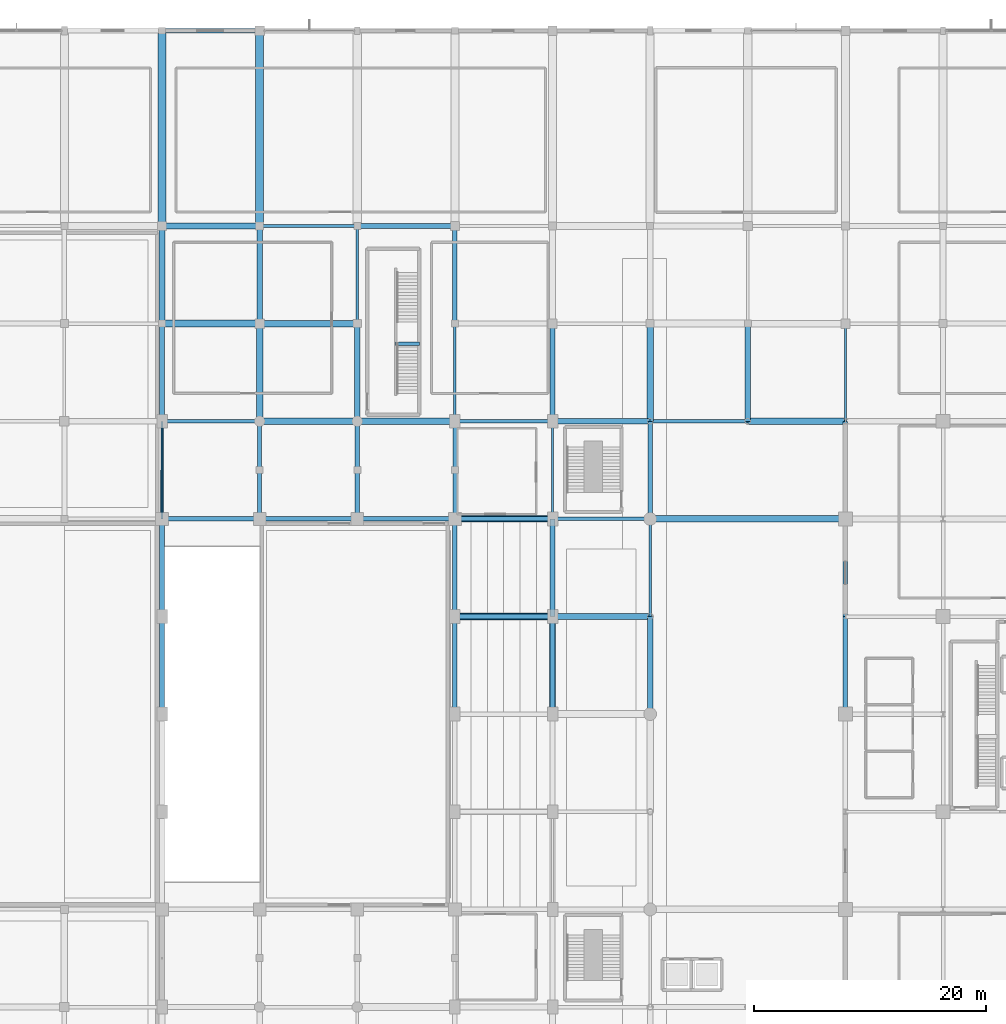
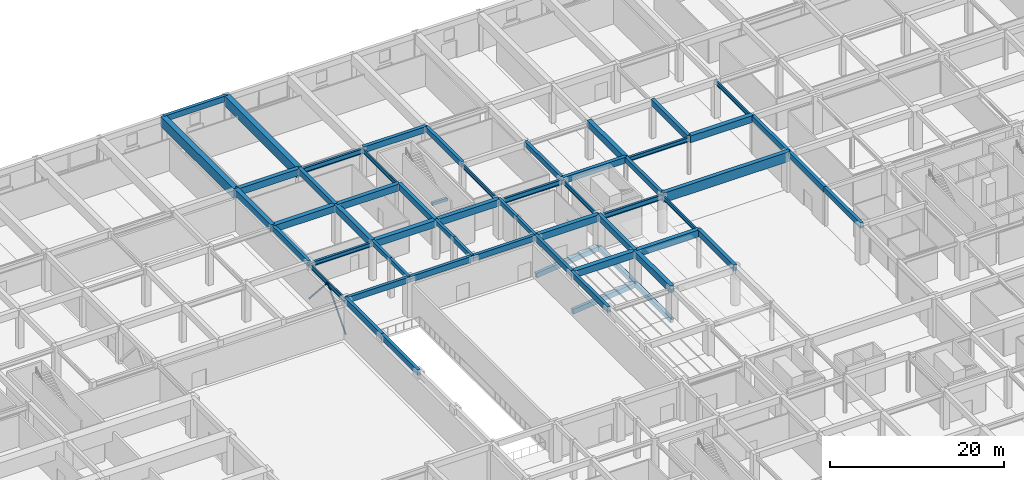
# One storey, part 22 of 62: 60 beams, 2 members.
"""IFC4 building model written with IfcOpenShell, lengths in metres."""

from ifc_helpers import new_model, si_unit, direction, frame, origin, origin_2d, place, context, subcontext, project, spatial, rectangle, hollow_circle, i_section, extrude, material, material_profile, profile_set, type_object, element, save


model = new_model("IFC4")

# Units and contexts
model_context = context("Model", 3, precision=1e-05, world=origin(), true_north=direction((0.0, 1.0)))
body_context = subcontext(model_context, "Body", "Model", "MODEL_VIEW")
ifc_project = project(units=[si_unit("LENGTHUNIT", "METRE"), si_unit("AREAUNIT", "SQUARE_METRE"), si_unit("VOLUMEUNIT", "CUBIC_METRE"), si_unit("PLANEANGLEUNIT", "RADIAN"), si_unit("MASSUNIT", "GRAM", prefix="KILO")], contexts=[model_context])

# Site, building, storey
site_placement = place(None, origin())
site = spatial("IfcSite", under=ifc_project, at=site_placement, CompositionType="ELEMENT")
building_placement = place(site_placement, origin())
building = spatial("IfcBuilding", under=site, at=building_placement, Name="Xuanlan Plaza Opera House", CompositionType="ELEMENT")
storey_placement = place(building_placement, origin())
storey = spatial("IfcBuildingStorey", under=building, at=storey_placement, Name="L00", CompositionType="ELEMENT", Elevation=0.0)

# Beams
ifc_material_1 = material(Name="Concrete C50", Category="concrete")
ifc_material_profile_1 = material_profile(ifc_material_1, rectangle(XDim=0.60009765625, YDim=0.949951171875, at=origin_2d()), Name="RC-BM 600x950")
ifc_profile_set_1 = profile_set([ifc_material_profile_1], Name="Concrete C50")
beam_type_1 = type_object("IfcBeamType", Name="STR-BM-B-01", PredefinedType="BEAM", material=ifc_profile_set_1)
beam_1_placement = place(storey_placement, frame((92.39990234375, 67.199951171875, 4.925048828125), z_axis=(1.0, 0.0, 0.0), x_axis=(0.0, 1.0, 0.0)))
element("IfcBeam", 1, at=beam_1_placement, inside=storey, type_object=beam_type_1, Name="Grid Beam X L00 12-13/I", PredefinedType="BEAM", context=body_context, shape_type="SweptSolid", body=[
    extrude(rectangle(XDim=0.60009765625, YDim=0.949951171875, at=origin_2d()), origin(), (0.0, 0.0, 1.0), 8.400146484375),
])
for number, where, z_axis, x_axis, name in (
    (2, (75.60009765625, 84.0, 4.925048828125), (1.0, 0.0, 0.0), (0.0, 1.0, 0.0), "Grid Beam X L00 10-11/K"),
    (3, (117.60009765625, 84.0, 4.925048828125), (1.0, 0.0, 0.0), (0.0, 1.0, 0.0), "Grid Beam X L00 15-16/K"),
):
    element("IfcBeam", number, at=place(storey_placement, frame(where, z_axis=z_axis, x_axis=x_axis)), inside=storey, type_object=beam_type_1, Name=name, PredefinedType="BEAM", context=body_context, shape_type="SweptSolid", body=[
        extrude(rectangle(XDim=0.60009765625, YDim=0.949951171875, at=origin_2d()), origin(), (0.0, 0.0, 1.0), 8.39990234375),
    ])
beam_2_placement = place(storey_placement, frame((67.199951171875, 92.39990234375, 4.925048828125), z_axis=(1.0, 0.0, 0.0), x_axis=(0.0, 1.0, 0.0)))
element("IfcBeam", 4, at=beam_2_placement, inside=storey, type_object=beam_type_1, Name="Grid Beam X L00 9-10/L", PredefinedType="BEAM", context=body_context, shape_type="SweptSolid", body=[
    extrude(rectangle(XDim=0.60009765625, YDim=0.949951171875, at=origin_2d()), origin(), (0.0, 0.0, 1.0), 8.400146484375),
])
ifc_material_profile_2 = material_profile(ifc_material_1, rectangle(XDim=0.550048828125, YDim=0.949951171875, at=origin_2d()), Name="RC-BM 550x950")
ifc_profile_set_2 = profile_set([ifc_material_profile_2], Name="Concrete C50")
beam_type_2 = type_object("IfcBeamType", Name="STR-BM-B-02", PredefinedType="BEAM", material=ifc_profile_set_2)
beam_3_placement = place(storey_placement, frame((100.800048828125, 67.199951171875, 4.925048828125), z_axis=(1.0, 0.0, 0.0), x_axis=(0.0, 1.0, 0.0)))
element("IfcBeam", 5, at=beam_3_placement, inside=storey, type_object=beam_type_2, Name="Grid Beam X L00 13-14/I", PredefinedType="BEAM", context=body_context, shape_type="SweptSolid", body=[
    extrude(rectangle(XDim=0.550048828125, YDim=0.949951171875, at=origin_2d()), origin(), (0.0, 0.0, 1.0), 8.39990234375),
])
beam_4_placement = place(storey_placement, frame((92.39990234375, 75.60009765625, 4.925048828125), z_axis=(1.0, 0.0, 0.0), x_axis=(0.0, 1.0, 0.0)))
element("IfcBeam", 6, at=beam_4_placement, inside=storey, type_object=beam_type_2, Name="Grid Beam X L00 12-13/J", PredefinedType="BEAM", context=body_context, shape_type="SweptSolid", body=[
    extrude(rectangle(XDim=0.550048828125, YDim=0.949951171875, at=origin_2d()), origin(), (0.0, 0.0, 1.0), 8.400146484375),
])
for number, where, z_axis, x_axis, name in (
    (7, (84.0, 84.0, 4.925048828125), (1.0, 0.0, 0.0), (0.0, 1.0, 0.0), "Grid Beam X L00 11-12/K"),
    (8, (75.60009765625, 92.39990234375, 4.925048828125), (1.0, 0.0, 0.0), (0.0, 1.0, 0.0), "Grid Beam X L00 10-11/L"),
):
    element("IfcBeam", number, at=place(storey_placement, frame(where, z_axis=z_axis, x_axis=x_axis)), inside=storey, type_object=beam_type_2, Name=name, PredefinedType="BEAM", context=body_context, shape_type="SweptSolid", body=[
        extrude(rectangle(XDim=0.550048828125, YDim=0.949951171875, at=origin_2d()), origin(), (0.0, 0.0, 1.0), 8.39990234375),
    ])
for number, where, z_axis, x_axis, name in (
    (9, (67.199951171875, 100.800048828125, 4.925048828125), (1.0, 0.0, 0.0), (0.0, 1.0, 0.0), "Grid Beam X L00 9-10/M"),
    (10, (67.199951171875, 92.39990234375, 4.925048828125), (0.0, 1.0, 0.0), (-1.0, 0.0, 0.0), "Grid Beam Y L00 9/L-M"),
):
    element("IfcBeam", number, at=place(storey_placement, frame(where, z_axis=z_axis, x_axis=x_axis)), inside=storey, type_object=beam_type_2, Name=name, PredefinedType="BEAM", context=body_context, shape_type="SweptSolid", body=[
        extrude(rectangle(XDim=0.550048828125, YDim=0.949951171875, at=origin_2d()), origin(), (0.0, 0.0, 1.0), 8.400146484375),
    ])
for number, where, z_axis, x_axis, name in (
    (11, (75.60009765625, 84.0, 4.925048828125), (0.0, 1.0, 0.0), (-1.0, 0.0, 0.0), "Grid Beam Y L00 10/K-L"),
    (12, (100.800048828125, 58.800048828125, 4.925048828125), (0.0, 1.0, 0.0), (-1.0, 0.0, 0.0), "Grid Beam Y L00 13/H-I"),
    (13, (109.199951171875, 84.0, 4.925048828125), (0.0, 1.0, 0.0), (-1.0, 0.0, 0.0), "Grid Beam Y L00 14/K-L"),
):
    element("IfcBeam", number, at=place(storey_placement, frame(where, z_axis=z_axis, x_axis=x_axis)), inside=storey, type_object=beam_type_2, Name=name, PredefinedType="BEAM", context=body_context, shape_type="SweptSolid", body=[
        extrude(rectangle(XDim=0.550048828125, YDim=0.949951171875, at=origin_2d()), origin(), (0.0, 0.0, 1.0), 8.39990234375),
    ])
ifc_material_2 = material(Name="Concrete C40", Category="concrete")
ifc_material_profile_3 = material_profile(ifc_material_2, rectangle(XDim=0.449951171875, YDim=0.85009765625, at=origin_2d()), Name="RC-BM 450x850")
ifc_profile_set_3 = profile_set([ifc_material_profile_3], Name="Concrete C40")
beam_type_3 = type_object("IfcBeamType", Name="STR-BM-B-04", PredefinedType="BEAM", material=ifc_profile_set_3)
for number, where, z_axis, x_axis, name in (
    (14, (100.800048828125, 84.0, 4.97509765625), (1.0, 0.0, 0.0), (0.0, 1.0, 0.0), "Grid Beam X L00 13-14/K"),
    (15, (84.0, 100.800048828125, 4.97509765625), (1.0, 0.0, 0.0), (0.0, 1.0, 0.0), "Grid Beam X L00 11-12/M"),
):
    element("IfcBeam", number, at=place(storey_placement, frame(where, z_axis=z_axis, x_axis=x_axis)), inside=storey, type_object=beam_type_3, Name=name, PredefinedType="BEAM", context=body_context, shape_type="SweptSolid", body=[
        extrude(rectangle(XDim=0.449951171875, YDim=0.85009765625, at=origin_2d()), origin(), (0.0, 0.0, 1.0), 8.39990234375),
    ])
beam_5_placement = place(storey_placement, frame((75.60009765625, 92.39990234375, 4.97509765625), z_axis=(0.0, 1.0, 0.0), x_axis=(-1.0, 0.0, 0.0)))
element("IfcBeam", 16, at=beam_5_placement, inside=storey, type_object=beam_type_3, Name="Grid Beam Y L00 10/L-M", PredefinedType="BEAM", context=body_context, shape_type="SweptSolid", body=[
    extrude(rectangle(XDim=0.449951171875, YDim=0.85009765625, at=origin_2d()), origin(), (0.0, 0.0, 1.0), 8.400146484375),
])
beam_6_placement = place(storey_placement, frame((84.0, 84.0, 4.97509765625), z_axis=(0.0, 1.0, 0.0), x_axis=(-1.0, 0.0, 0.0)))
element("IfcBeam", 17, at=beam_6_placement, inside=storey, type_object=beam_type_3, Name="Grid Beam Y L00 11/K-L", PredefinedType="BEAM", context=body_context, shape_type="SweptSolid", body=[
    extrude(rectangle(XDim=0.449951171875, YDim=0.85009765625, at=origin_2d()), origin(), (0.0, 0.0, 1.0), 8.39990234375),
])
beam_7_placement = place(storey_placement, frame((100.800048828125, 67.199951171875, 4.97509765625), z_axis=(0.0, 1.0, 0.0), x_axis=(-1.0, 0.0, 0.0)))
element("IfcBeam", 18, at=beam_7_placement, inside=storey, type_object=beam_type_3, Name="Grid Beam Y L00 13/I-J", PredefinedType="BEAM", context=body_context, shape_type="SweptSolid", body=[
    extrude(rectangle(XDim=0.449951171875, YDim=0.85009765625, at=origin_2d()), origin(), (0.0, 0.0, 1.0), 8.400146484375),
])
for number, where, z_axis, x_axis, name in (
    (19, (109.199951171875, 58.800048828125, 4.97509765625), (0.0, 1.0, 0.0), (-1.0, 0.0, 0.0), "Grid Beam Y L00 14/H-I"),
    (20, (117.60009765625, 84.0, 4.97509765625), (0.0, 1.0, 0.0), (-1.0, 0.0, 0.0), "Grid Beam Y L00 15/K-L"),
):
    element("IfcBeam", number, at=place(storey_placement, frame(where, z_axis=z_axis, x_axis=x_axis)), inside=storey, type_object=beam_type_3, Name=name, PredefinedType="BEAM", context=body_context, shape_type="SweptSolid", body=[
        extrude(rectangle(XDim=0.449951171875, YDim=0.85009765625, at=origin_2d()), origin(), (0.0, 0.0, 1.0), 8.39990234375),
    ])
ifc_material_profile_4 = material_profile(ifc_material_2, rectangle(XDim=0.39990234375, YDim=0.75, at=origin_2d()), Name="RC-BM 400x750")
ifc_profile_set_4 = profile_set([ifc_material_profile_4], Name="Concrete C40")
beam_type_4 = type_object("IfcBeamType", Name="STR-BM-B-06", PredefinedType="BEAM", material=ifc_profile_set_4)
beam_8_placement = place(storey_placement, frame((67.199951171875, 84.0, 5.02490234375), z_axis=(0.0, 1.0, 0.0), x_axis=(-1.0, 0.0, 0.0)))
element("IfcBeam", 21, at=beam_8_placement, inside=storey, type_object=beam_type_4, Name="Grid Beam Y L00 9/K-L", PredefinedType="BEAM", context=body_context, shape_type="SweptSolid", body=[
    extrude(rectangle(XDim=0.39990234375, YDim=0.75, at=origin_2d()), origin(), (0.0, 0.0, 1.0), 8.39990234375),
])
beam_9_placement = place(storey_placement, frame((92.39990234375, 92.39990234375, 5.02490234375), z_axis=(0.0, 1.0, 0.0), x_axis=(-1.0, 0.0, 0.0)))
element("IfcBeam", 22, at=beam_9_placement, inside=storey, type_object=beam_type_4, Name="Grid Beam Y L00 12/L-M", PredefinedType="BEAM", context=body_context, shape_type="SweptSolid", body=[
    extrude(rectangle(XDim=0.39990234375, YDim=0.75, at=origin_2d()), origin(), (0.0, 0.0, 1.0), 8.400146484375),
])
for number, where, z_axis, x_axis, name in (
    (23, (100.800048828125, 84.0, 5.02490234375), (0.0, 1.0, 0.0), (-1.0, 0.0, 0.0), "Grid Beam Y L00 13/K-L"),
    (24, (109.199951171875, 75.60009765625, 5.02490234375), (0.0, 1.0, 0.0), (-1.0, 0.0, 0.0), "Grid Beam Y L00 14/J-K"),
    (25, (126.0, 58.800048828125, 5.02490234375), (0.0, 1.0, 0.0), (-1.0, 0.0, 0.0), "Grid Beam Y L00 16/H-I"),
):
    element("IfcBeam", number, at=place(storey_placement, frame(where, z_axis=z_axis, x_axis=x_axis)), inside=storey, type_object=beam_type_4, Name=name, PredefinedType="BEAM", context=body_context, shape_type="SweptSolid", body=[
        extrude(rectangle(XDim=0.39990234375, YDim=0.75, at=origin_2d()), origin(), (0.0, 0.0, 1.0), 8.39990234375),
    ])
beam_10_placement = place(storey_placement, frame((126.0, 67.199951171875, 5.02490234375), z_axis=(0.0, 1.0, 0.0), x_axis=(-1.0, 0.0, 0.0)))
element("IfcBeam", 26, at=beam_10_placement, inside=storey, type_object=beam_type_4, Name="Grid Beam Y L00 16/I-J", PredefinedType="BEAM", context=body_context, shape_type="SweptSolid", body=[
    extrude(rectangle(XDim=0.39990234375, YDim=0.75, at=origin_2d()), origin(), (0.0, 0.0, 1.0), 8.400146484375),
])
beam_11_placement = place(storey_placement, frame((126.0, 75.60009765625, 5.02490234375), z_axis=(0.0, 1.0, 0.0), x_axis=(-1.0, 0.0, 0.0)))
element("IfcBeam", 27, at=beam_11_placement, inside=storey, type_object=beam_type_4, Name="Grid Beam Y L00 16/J-K", PredefinedType="BEAM", context=body_context, shape_type="SweptSolid", body=[
    extrude(rectangle(XDim=0.39990234375, YDim=0.75, at=origin_2d()), origin(), (0.0, 0.0, 1.0), 8.39990234375),
])
ifc_material_profile_5 = material_profile(ifc_material_2, rectangle(XDim=0.35009765625, YDim=0.60009765625, at=origin_2d()), Name="RC-BM 350x600")
ifc_profile_set_5 = profile_set([ifc_material_profile_5], Name="Concrete C40")
beam_type_5 = type_object("IfcBeamType", Name="STR-BM-B-10", PredefinedType="BEAM", material=ifc_profile_set_5)
for number, where, z_axis, x_axis, name in (
    (28, (75.60009765625, 75.60009765625, 5.10009765625), (0.0, 1.0, 0.0), (-1.0, 0.0, 0.0), "Sub-Bay Beam Y L00 10/JA"),
    (29, (75.60009765625, 79.800048828125, 5.10009765625), (0.0, 1.0, 0.0), (-1.0, 0.0, 0.0), "Sub-Bay Beam Y L00 10/JB"),
    (30, (84.0, 75.60009765625, 5.10009765625), (0.0, 1.0, 0.0), (-1.0, 0.0, 0.0), "Sub-Bay Beam Y L00 11/JA"),
    (31, (84.0, 79.800048828125, 5.10009765625), (0.0, 1.0, 0.0), (-1.0, 0.0, 0.0), "Sub-Bay Beam Y L00 11/JB"),
    (32, (92.39990234375, 75.60009765625, 5.10009765625), (0.0, 1.0, 0.0), (-1.0, 0.0, 0.0), "Sub-Bay Beam Y L00 12/JA"),
    (33, (92.39990234375, 79.800048828125, 5.10009765625), (0.0, 1.0, 0.0), (-1.0, 0.0, 0.0), "Sub-Bay Beam Y L00 12/JB"),
):
    element("IfcBeam", number, at=place(storey_placement, frame(where, z_axis=z_axis, x_axis=x_axis)), inside=storey, type_object=beam_type_5, Name=name, PredefinedType="BEAM", context=body_context, shape_type="SweptSolid", body=[
        extrude(rectangle(XDim=0.35009765625, YDim=0.60009765625, at=origin_2d()), origin(), (0.0, 0.0, 1.0), 4.199951171875),
    ])
ifc_material_profile_6 = material_profile(ifc_material_1, rectangle(XDim=0.699951171875, YDim=1.39990234375, at=origin_2d()), Name="RC-LG 700x1400")
ifc_profile_set_6 = profile_set([ifc_material_profile_6], Name="Concrete C50")
beam_type_6 = type_object("IfcBeamType", Name="STR-BM-LG-01", PredefinedType="BEAM", material=ifc_profile_set_6)
for number, where, z_axis, x_axis, name in (
    (34, (67.199951171875, 100.800048828125, 4.699951171875), (0.0, 1.0, 0.0), (-1.0, 0.0, 0.0), "Grid Beam Y L00 9/M-O"),
    (35, (75.60009765625, 100.800048828125, 4.699951171875), (0.0, 1.0, 0.0), (-1.0, 0.0, 0.0), "Grid Beam Y L00 10/M-O"),
):
    element("IfcBeam", number, at=place(storey_placement, frame(where, z_axis=z_axis, x_axis=x_axis)), inside=storey, type_object=beam_type_6, Name=name, PredefinedType="BEAM", context=body_context, shape_type="SweptSolid", body=[
        extrude(rectangle(XDim=0.699951171875, YDim=1.39990234375, at=origin_2d()), origin(), (0.0, 0.0, 1.0), 16.800048828125),
    ])
ifc_material_profile_7 = material_profile(ifc_material_1, rectangle(XDim=0.550048828125, YDim=1.35009765625, at=origin_2d()), Name="RC-SPD 550x1350")
ifc_profile_set_7 = profile_set([ifc_material_profile_7], Name="Concrete C50")
beam_type_7 = type_object("IfcBeamType", Name="STR-BM-LG-SP1", PredefinedType="SPANDREL", material=ifc_profile_set_7)
beam_12_placement = place(storey_placement, frame((109.199951171875, 75.60009765625, 4.72509765625), z_axis=(1.0, 0.0, 0.0), x_axis=(0.0, 1.0, 0.0)))
element("IfcBeam", 36, at=beam_12_placement, inside=storey, type_object=beam_type_7, Name="Grid Beam X L00 14-16/J", PredefinedType="SPANDREL", context=body_context, shape_type="SweptSolid", body=[
    extrude(rectangle(XDim=0.550048828125, YDim=1.35009765625, at=origin_2d()), origin(), (0.0, 0.0, 1.0), 16.800048828125),
])
ifc_material_profile_8 = material_profile(ifc_material_2, rectangle(XDim=0.320068359375, YDim=0.419921875, at=origin_2d()), Name="RC-LNT 320x420")
ifc_profile_set_8 = profile_set([ifc_material_profile_8], Name="Concrete C40")
beam_type_8 = type_object("IfcBeamType", Name="STR-BM-LN-04", PredefinedType="LINTEL", material=ifc_profile_set_8)
beam_13_placement = place(storey_placement, frame((87.300048828125, 90.675048828125, 2.2900390625), z_axis=(1.0, 0.0, 0.0), x_axis=(0.0, 1.0, 0.0)))
element("IfcBeam", 37, at=beam_13_placement, inside=storey, type_object=beam_type_8, Name="Stair Mid-Landing Trimmer Beam ST-P4 L00", PredefinedType="LINTEL", context=body_context, shape_type="SweptSolid", body=[
    extrude(rectangle(XDim=0.320068359375, YDim=0.419921875, at=origin_2d()), origin(), (0.0, 0.0, 1.0), 2.050048828125),
])
ifc_material_profile_9 = material_profile(ifc_material_2, rectangle(XDim=0.39990234375, YDim=0.679931640625, at=origin_2d()), Name="RC-RKR 400x680")
ifc_profile_set_9 = profile_set([ifc_material_profile_9], Name="Concrete C40")
beam_type_9 = type_object("IfcBeamType", Name="STR-BM-RK-02", PredefinedType="BEAM", material=ifc_profile_set_9)
for number, where, z_axis, x_axis, name in (
    (38, (92.39990234375, 67.199951171875, -0.340087890625), (0.994307513918, 0.0, 0.10654842921), (0.0, 1.0, 0.0), "Auditorium Tier Raker Beam L00 Y67"),
    (39, (92.39990234375, 75.60009765625, -0.340087890625), (0.994307513918, 0.0, 0.10654842921), (0.0, 1.0, 0.0), "Auditorium Tier Raker Beam L00 Y75"),
):
    element("IfcBeam", number, at=place(storey_placement, frame(where, z_axis=z_axis, x_axis=x_axis)), inside=storey, type_object=beam_type_9, Name=name, PredefinedType="BEAM", context=body_context, shape_type="SweptSolid", body=[
        extrude(rectangle(XDim=0.39990234375, YDim=0.679931640625, at=origin_2d()), origin(), (0.0, 0.0, 1.0), 8.4482421875),
    ])
ifc_material_profile_10 = material_profile(ifc_material_2, rectangle(XDim=0.39990234375, YDim=0.679931640625, at=origin_2d()), Name="RC-RKR 400x680")
ifc_profile_set_10 = profile_set([ifc_material_profile_10], Name="Concrete C40")
beam_type_10 = type_object("IfcBeamType", Name="STR-BM-RKH-01", PredefinedType="BEAM", material=ifc_profile_set_10)
beam_14_placement = place(storey_placement, frame((100.800048828125, 58.800048828125, 0.56005859375), z_axis=(0.0, 1.0, 0.0), x_axis=(-1.0, 0.0, 0.0)))
element("IfcBeam", 40, at=beam_14_placement, inside=storey, type_object=beam_type_10, Name="Auditorium Tier Header Beam L00-3", PredefinedType="BEAM", context=body_context, shape_type="SweptSolid", body=[
    extrude(rectangle(XDim=0.39990234375, YDim=0.679931640625, at=origin_2d()), origin(), (0.0, 0.0, 1.0), 8.39990234375),
])
beam_15_placement = place(storey_placement, frame((100.800048828125, 67.199951171875, 0.56005859375), z_axis=(0.0, 1.0, 0.0), x_axis=(-1.0, 0.0, 0.0)))
element("IfcBeam", 41, at=beam_15_placement, inside=storey, type_object=beam_type_10, Name="Auditorium Tier Header Beam L00-4", PredefinedType="BEAM", context=body_context, shape_type="SweptSolid", body=[
    extrude(rectangle(XDim=0.39990234375, YDim=0.679931640625, at=origin_2d()), origin(), (0.0, 0.0, 1.0), 8.400146484375),
])
ifc_material_3 = material(Name="Steel Q355B", Category="steel")
ifc_material_profile_11 = material_profile(ifc_material_3, i_section(OverallWidth=0.300048828125, OverallDepth=0.699951171875, WebThickness=0.012939453125, FlangeThickness=0.02392578125, FilletRadius=0.02392578125, at=origin_2d()), Name="HN 700x300x13x24")
ifc_profile_set_11 = profile_set([ifc_material_profile_11], Name="Steel Q355B")
beam_type_11 = type_object("IfcBeamType", Name="STR-BM-SB-03", PredefinedType="BEAM", material=ifc_profile_set_11)
beam_16_placement = place(storey_placement, frame((100.800048828125, 75.60009765625, 4.784912109375), z_axis=(1.0, 0.0, 0.0), x_axis=(0.0, 1.0, 0.0)))
element("IfcBeam", 42, at=beam_16_placement, inside=storey, type_object=beam_type_11, Name="Grid Beam X L00 13-14/J", PredefinedType="BEAM", context=body_context, shape_type="SweptSolid", body=[
    extrude(i_section(OverallWidth=0.300048828125, OverallDepth=0.699951171875, WebThickness=0.012939453125, FlangeThickness=0.02392578125, FilletRadius=0.02392578125, at=origin_2d()), origin(), (0.0, 0.0, 1.0), 8.39990234375),
])
beam_17_placement = place(storey_placement, frame((92.39990234375, 84.0, 4.784912109375), z_axis=(1.0, 0.0, 0.0), x_axis=(0.0, 1.0, 0.0)))
element("IfcBeam", 43, at=beam_17_placement, inside=storey, type_object=beam_type_11, Name="Grid Beam X L00 12-13/K", PredefinedType="BEAM", context=body_context, shape_type="SweptSolid", body=[
    extrude(i_section(OverallWidth=0.300048828125, OverallDepth=0.699951171875, WebThickness=0.012939453125, FlangeThickness=0.02392578125, FilletRadius=0.02392578125, at=origin_2d()), origin(), (0.0, 0.0, 1.0), 8.400146484375),
])
beam_18_placement = place(storey_placement, frame((75.60009765625, 100.800048828125, 4.784912109375), z_axis=(1.0, 0.0, 0.0), x_axis=(0.0, 1.0, 0.0)))
element("IfcBeam", 44, at=beam_18_placement, inside=storey, type_object=beam_type_11, Name="Grid Beam X L00 10-11/M", PredefinedType="BEAM", context=body_context, shape_type="SweptSolid", body=[
    extrude(i_section(OverallWidth=0.300048828125, OverallDepth=0.699951171875, WebThickness=0.012939453125, FlangeThickness=0.02392578125, FilletRadius=0.02392578125, at=origin_2d()), origin(), (0.0, 0.0, 1.0), 8.39990234375),
])
ifc_material_profile_12 = material_profile(ifc_material_3, i_section(OverallWidth=0.199951171875, OverallDepth=0.60009765625, WebThickness=0.010986328125, FlangeThickness=0.01708984375, FilletRadius=0.02197265625, at=origin_2d()), Name="HN 600x200x11x17")
ifc_profile_set_12 = profile_set([ifc_material_profile_12], Name="Steel Q355B")
beam_type_12 = type_object("IfcBeamType", Name="STR-BM-SB-04", PredefinedType="BEAM", material=ifc_profile_set_12)
beam_19_placement = place(storey_placement, frame((67.199951171875, 75.60009765625, 4.8349609375), z_axis=(0.0, 1.0, 0.0), x_axis=(-1.0, 0.0, 0.0)))
element("IfcBeam", 45, at=beam_19_placement, inside=storey, type_object=beam_type_12, Name="Grid Beam Y L00 9/J-K", PredefinedType="BEAM", context=body_context, shape_type="SweptSolid", body=[
    extrude(i_section(OverallWidth=0.199951171875, OverallDepth=0.60009765625, WebThickness=0.010986328125, FlangeThickness=0.01708984375, FilletRadius=0.02197265625, at=origin_2d()), origin(), (0.0, 0.0, 1.0), 8.39990234375),
])
beam_20_placement = place(storey_placement, frame((84.0, 92.39990234375, 4.8349609375), z_axis=(0.0, 1.0, 0.0), x_axis=(-1.0, 0.0, 0.0)))
element("IfcBeam", 46, at=beam_20_placement, inside=storey, type_object=beam_type_12, Name="Grid Beam Y L00 11/L-M", PredefinedType="BEAM", context=body_context, shape_type="SweptSolid", body=[
    extrude(i_section(OverallWidth=0.199951171875, OverallDepth=0.60009765625, WebThickness=0.010986328125, FlangeThickness=0.01708984375, FilletRadius=0.02197265625, at=origin_2d()), origin(), (0.0, 0.0, 1.0), 8.400146484375),
])
for number, where, z_axis, x_axis, name in (
    (47, (92.39990234375, 84.0, 4.8349609375), (0.0, 1.0, 0.0), (-1.0, 0.0, 0.0), "Grid Beam Y L00 12/K-L"),
    (48, (100.800048828125, 75.60009765625, 4.8349609375), (0.0, 1.0, 0.0), (-1.0, 0.0, 0.0), "Grid Beam Y L00 13/J-K"),
):
    element("IfcBeam", number, at=place(storey_placement, frame(where, z_axis=z_axis, x_axis=x_axis)), inside=storey, type_object=beam_type_12, Name=name, PredefinedType="BEAM", context=body_context, shape_type="SweptSolid", body=[
        extrude(i_section(OverallWidth=0.199951171875, OverallDepth=0.60009765625, WebThickness=0.010986328125, FlangeThickness=0.01708984375, FilletRadius=0.02197265625, at=origin_2d()), origin(), (0.0, 0.0, 1.0), 8.39990234375),
    ])
beam_21_placement = place(storey_placement, frame((109.199951171875, 67.199951171875, 4.8349609375), z_axis=(0.0, 1.0, 0.0), x_axis=(-1.0, 0.0, 0.0)))
element("IfcBeam", 49, at=beam_21_placement, inside=storey, type_object=beam_type_12, Name="Grid Beam Y L00 14/I-J", PredefinedType="BEAM", context=body_context, shape_type="SweptSolid", body=[
    extrude(i_section(OverallWidth=0.199951171875, OverallDepth=0.60009765625, WebThickness=0.010986328125, FlangeThickness=0.01708984375, FilletRadius=0.02197265625, at=origin_2d()), origin(), (0.0, 0.0, 1.0), 8.400146484375),
])
beam_22_placement = place(storey_placement, frame((126.0, 84.0, 4.8349609375), z_axis=(0.0, 1.0, 0.0), x_axis=(-1.0, 0.0, 0.0)))
element("IfcBeam", 50, at=beam_22_placement, inside=storey, type_object=beam_type_12, Name="Grid Beam Y L00 16/K-L", PredefinedType="BEAM", context=body_context, shape_type="SweptSolid", body=[
    extrude(i_section(OverallWidth=0.199951171875, OverallDepth=0.60009765625, WebThickness=0.010986328125, FlangeThickness=0.01708984375, FilletRadius=0.02197265625, at=origin_2d()), origin(), (0.0, 0.0, 1.0), 8.39990234375),
])
ifc_material_profile_13 = material_profile(ifc_material_3, i_section(OverallWidth=0.300048828125, OverallDepth=0.587890625, WebThickness=0.011962890625, FlangeThickness=0.02001953125, FilletRadius=0.02392578125, at=origin_2d()), Name="HM 588x300x12x20")
ifc_profile_set_13 = profile_set([ifc_material_profile_13], Name="Steel Q355B")
beam_type_13 = type_object("IfcBeamType", Name="STR-BM-SB-06", PredefinedType="BEAM", material=ifc_profile_set_13)
for number, where, z_axis, x_axis, name in (
    (51, (67.199951171875, 84.0, 4.841064453125), (1.0, 0.0, 0.0), (0.0, 1.0, 0.0), "Grid Beam X L00 9-10/K"),
    (52, (109.199951171875, 84.0, 4.841064453125), (1.0, 0.0, 0.0), (0.0, 1.0, 0.0), "Grid Beam X L00 14-15/K"),
):
    element("IfcBeam", number, at=place(storey_placement, frame(where, z_axis=z_axis, x_axis=x_axis)), inside=storey, type_object=beam_type_13, Name=name, PredefinedType="BEAM", context=body_context, shape_type="SweptSolid", body=[
        extrude(i_section(OverallWidth=0.300048828125, OverallDepth=0.587890625, WebThickness=0.011962890625, FlangeThickness=0.02001953125, FilletRadius=0.02392578125, at=origin_2d()), origin(), (0.0, 0.0, 1.0), 8.400146484375),
    ])
ifc_material_profile_14 = material_profile(ifc_material_2, rectangle(XDim=0.39990234375, YDim=0.800048828125, at=origin_2d()), Name="RC-SPD 400x800")
ifc_profile_set_14 = profile_set([ifc_material_profile_14], Name="Concrete C40")
beam_type_14 = type_object("IfcBeamType", Name="STR-BM-SP-01", PredefinedType="SPANDREL", material=ifc_profile_set_14)
beam_23_placement = place(storey_placement, frame((67.199951171875, 75.60009765625, 5.0), z_axis=(1.0, 0.0, 0.0), x_axis=(0.0, 1.0, 0.0)))
element("IfcBeam", 53, at=beam_23_placement, inside=storey, type_object=beam_type_14, Name="Grid Beam X L00 9-10/J", PredefinedType="SPANDREL", context=body_context, shape_type="SweptSolid", body=[
    extrude(rectangle(XDim=0.39990234375, YDim=0.800048828125, at=origin_2d()), origin(), (0.0, 0.0, 1.0), 8.400146484375),
])
for number, where, z_axis, x_axis, name in (
    (54, (75.60009765625, 75.60009765625, 5.0), (1.0, 0.0, 0.0), (0.0, 1.0, 0.0), "Grid Beam X L00 10-11/J"),
    (55, (84.0, 75.60009765625, 5.0), (1.0, 0.0, 0.0), (0.0, 1.0, 0.0), "Grid Beam X L00 11-12/J"),
):
    element("IfcBeam", number, at=place(storey_placement, frame(where, z_axis=z_axis, x_axis=x_axis)), inside=storey, type_object=beam_type_14, Name=name, PredefinedType="SPANDREL", context=body_context, shape_type="SweptSolid", body=[
        extrude(rectangle(XDim=0.39990234375, YDim=0.800048828125, at=origin_2d()), origin(), (0.0, 0.0, 1.0), 8.39990234375),
    ])
beam_24_placement = place(storey_placement, frame((67.199951171875, 117.60009765625, 5.0), z_axis=(1.0, 0.0, 0.0), x_axis=(0.0, 1.0, 0.0)))
element("IfcBeam", 56, at=beam_24_placement, inside=storey, type_object=beam_type_14, Name="Grid Beam X L00 9-10/O", PredefinedType="SPANDREL", context=body_context, shape_type="SweptSolid", body=[
    extrude(rectangle(XDim=0.39990234375, YDim=0.800048828125, at=origin_2d()), origin(), (0.0, 0.0, 1.0), 8.400146484375),
])
beam_25_placement = place(storey_placement, frame((67.199951171875, 58.800048828125, 5.0), z_axis=(0.0, 1.0, 0.0), x_axis=(-1.0, 0.0, 0.0)))
element("IfcBeam", 57, at=beam_25_placement, inside=storey, type_object=beam_type_14, Name="Grid Beam Y L00 9/H-I", PredefinedType="SPANDREL", context=body_context, shape_type="SweptSolid", body=[
    extrude(rectangle(XDim=0.39990234375, YDim=0.800048828125, at=origin_2d()), origin(), (0.0, 0.0, 1.0), 8.39990234375),
])
beam_26_placement = place(storey_placement, frame((67.199951171875, 67.199951171875, 5.0), z_axis=(0.0, 1.0, 0.0), x_axis=(-1.0, 0.0, 0.0)))
element("IfcBeam", 58, at=beam_26_placement, inside=storey, type_object=beam_type_14, Name="Grid Beam Y L00 9/I-J", PredefinedType="SPANDREL", context=body_context, shape_type="SweptSolid", body=[
    extrude(rectangle(XDim=0.39990234375, YDim=0.800048828125, at=origin_2d()), origin(), (0.0, 0.0, 1.0), 8.400146484375),
])
beam_27_placement = place(storey_placement, frame((92.39990234375, 58.800048828125, 5.0), z_axis=(0.0, 1.0, 0.0), x_axis=(-1.0, 0.0, 0.0)))
element("IfcBeam", 59, at=beam_27_placement, inside=storey, type_object=beam_type_14, Name="Grid Beam Y L00 12/H-I", PredefinedType="SPANDREL", context=body_context, shape_type="SweptSolid", body=[
    extrude(rectangle(XDim=0.39990234375, YDim=0.800048828125, at=origin_2d()), origin(), (0.0, 0.0, 1.0), 8.39990234375),
])
beam_28_placement = place(storey_placement, frame((92.39990234375, 67.199951171875, 5.0), z_axis=(0.0, 1.0, 0.0), x_axis=(-1.0, 0.0, 0.0)))
element("IfcBeam", 60, at=beam_28_placement, inside=storey, type_object=beam_type_14, Name="Grid Beam Y L00 12/I-J", PredefinedType="SPANDREL", context=body_context, shape_type="SweptSolid", body=[
    extrude(rectangle(XDim=0.39990234375, YDim=0.800048828125, at=origin_2d()), origin(), (0.0, 0.0, 1.0), 8.400146484375),
])

# Members
ifc_material_profile_15 = material_profile(ifc_material_3, hollow_circle(Radius=0.109619140625, WallThickness=0.010009765625, at=origin_2d()), Name="CHS 219.1x10")
ifc_profile_set_15 = profile_set([ifc_material_profile_15], Name="Steel Q355B")
member_type = type_object("IfcMemberType", Name="STR-MEM-BR-05", PredefinedType="BRACE", material=ifc_profile_set_15)
for number, where, z_axis, x_axis, name in (
    (61, (67.199951171875, 75.60009765625, 0.10009765625), (0.0, 0.662399393998, 0.749150881219), (-1.0, 0.0, 0.0), "Stage Lateral Chevron Brace L00-3A"),
    (62, (67.199951171875, 84.0, 0.10009765625), (0.0, -0.662399393998, 0.749150881219), (1.0, 0.0, 0.0), "Stage Lateral Chevron Brace L00-3B"),
):
    element("IfcMember", number, at=place(storey_placement, frame(where, z_axis=z_axis, x_axis=x_axis)), inside=storey, type_object=member_type, Name=name, PredefinedType="BRACE", context=body_context, shape_type="SweptSolid", body=[
        extrude(hollow_circle(Radius=0.109619140625, WallThickness=0.010009765625, at=origin_2d()), origin(), (0.0, 0.0, 1.0), 6.340576171875),
    ])

save(model, "model.ifc")
